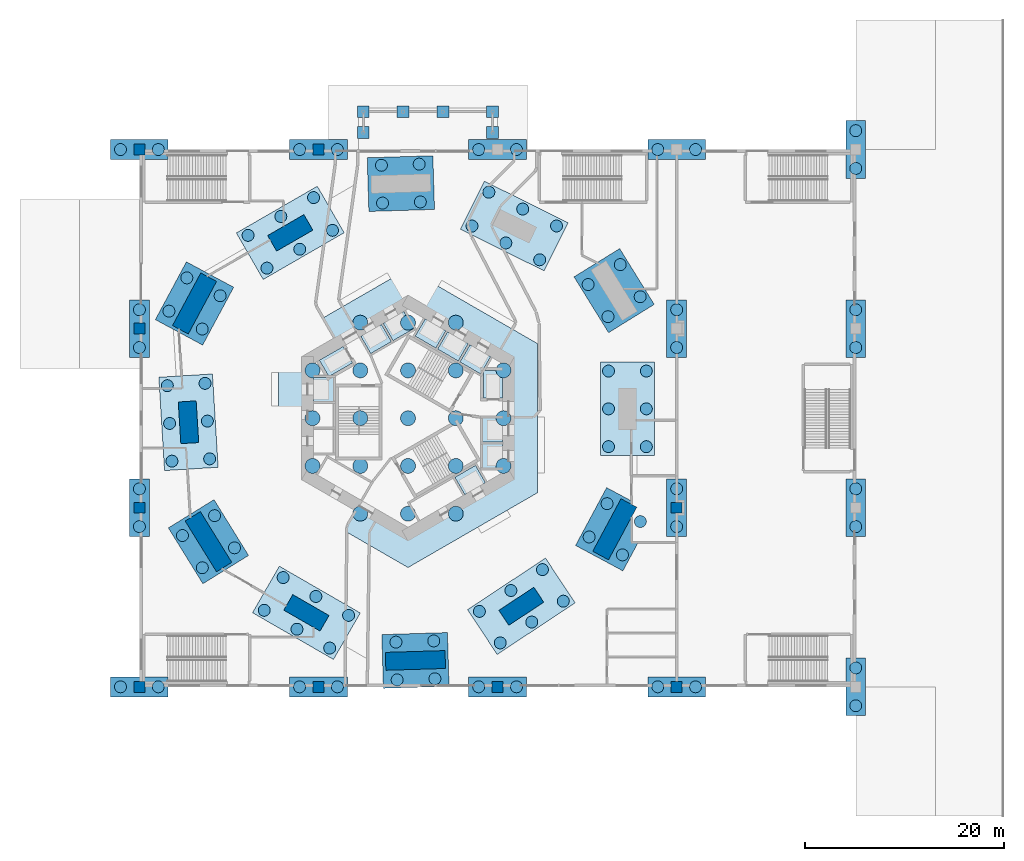
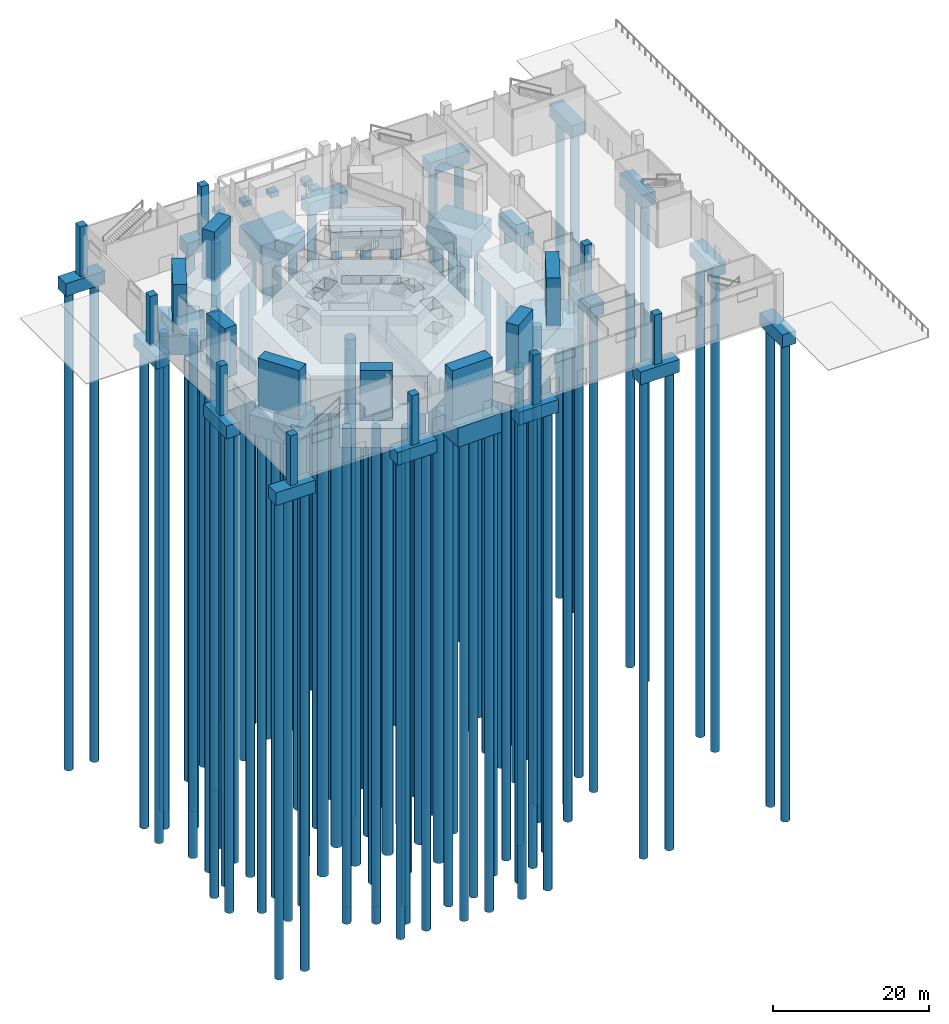
# One storey, part 1 of 16: 113 piles, 35 footings, 17 columns.
"""IFC4 building model written with IfcOpenShell, lengths in metres."""

from ifc_helpers import new_model, si_unit, direction, frame, origin, origin_2d, place, context, subcontext, project, spatial, polyline, rectangle, circle, outline, extrude, boolean, material, layer, layer_set, material_profile, profile_set, type_object, element, save


model = new_model("IFC4")

# Units and contexts
model_context = context("Model", 3, precision=1e-05, world=origin(), true_north=direction((0.0, 1.0)))
body_context = subcontext(model_context, "Body", "Model", "MODEL_VIEW")
ifc_project = project(units=[si_unit("LENGTHUNIT", "METRE"), si_unit("AREAUNIT", "SQUARE_METRE"), si_unit("VOLUMEUNIT", "CUBIC_METRE"), si_unit("PLANEANGLEUNIT", "RADIAN"), si_unit("MASSUNIT", "GRAM", prefix="KILO")], contexts=[model_context])

# Site, building, storey
site_placement = place(None, origin())
site = spatial("IfcSite", under=ifc_project, at=site_placement, CompositionType="ELEMENT")
building_placement = place(site_placement, origin())
building = spatial("IfcBuilding", under=site, at=building_placement, Name="Vanh Sen Convention Tower", CompositionType="ELEMENT")
storey_placement = place(building_placement, origin())
storey = spatial("IfcBuildingStorey", under=building, at=storey_placement, Name="L00", CompositionType="ELEMENT", Elevation=0.0)

# Piles
ifc_material_1 = material(Name="Concrete C40/50", Category="concrete")
ifc_material_profile_1 = material_profile(ifc_material_1, circle(Radius=0.60009765625, at=origin_2d()), Name="Bored pile D1200")
ifc_profile_set_1 = profile_set([ifc_material_profile_1], Name="Concrete C40/50")
pile_type_1 = type_object("IfcPileType", Name="Bored pile D1200", PredefinedType="BORED", material=ifc_profile_set_1)
for number, where, z_axis, x_axis, name in (
    (1, (20.14990234375, -2.86279296875, -3.14990234375), (0.0, 0.0, -1.0), (1.0, 0.0, 0.0), "Mega pile 01-1"),
    (2, (20.14990234375, 0.937255859375, -3.14990234375), (0.0, 0.0, -1.0), (1.0, 0.0, 0.0), "Mega pile 01-2"),
    (3, (20.14990234375, 4.7373046875, -3.14990234375), (0.0, 0.0, -1.0), (1.0, 0.0, 0.0), "Mega pile 01-3"),
    (4, (23.949951171875, -2.86279296875, -3.14990234375), (0.0, 0.0, -1.0), (1.0, 0.0, 0.0), "Mega pile 01-4"),
    (5, (23.949951171875, 0.937255859375, -3.14990234375), (0.0, 0.0, -1.0), (1.0, 0.0, 0.0), "Mega pile 01-5"),
    (6, (23.949951171875, 4.7373046875, -3.14990234375), (0.0, 0.0, -1.0), (1.0, 0.0, 0.0), "Mega pile 01-6"),
    (7, (20.098388671875, 10.202880859375, -3.14990234375), (0.0, 0.0, -1.0), (1.0, 0.0, 0.0), "Mega pile 02-1"),
    (8, (18.098876953125, 13.434326171875, -3.14990234375), (0.0, 0.0, -1.0), (1.0, 0.0, 0.0), "Mega pile 02-2"),
    (9, (23.329833984375, 12.202392578125, -3.14990234375), (0.0, 0.0, -1.0), (1.0, 0.0, 0.0), "Mega pile 02-3"),
    (10, (21.330078125, 15.433837890625, -3.14990234375), (0.0, 0.0, -1.0), (1.0, 0.0, 0.0), "Mega pile 02-4"),
    (11, (13.23046875, 15.919189453125, -3.14990234375), (0.0, 0.0, -1.0), (1.0, 0.0, 0.0), "Mega pile 03-1"),
    (12, (9.82958984375, 17.61474609375, -3.14990234375), (0.0, 0.0, -1.0), (1.0, 0.0, 0.0), "Mega pile 03-2"),
    (13, (6.428955078125, 19.310302734375, -3.14990234375), (0.0, 0.0, -1.0), (1.0, 0.0, 0.0), "Mega pile 03-3"),
    (14, (14.92578125, 19.31982421875, -3.14990234375), (0.0, 0.0, -1.0), (1.0, 0.0, 0.0), "Mega pile 03-4"),
    (15, (11.525146484375, 21.015380859375, -3.14990234375), (0.0, 0.0, -1.0), (1.0, 0.0, 0.0), "Mega pile 03-5"),
    (16, (8.12451171875, 22.7109375, -3.14990234375), (0.0, 0.0, -1.0), (1.0, 0.0, 0.0), "Mega pile 03-6"),
    (17, (1.23681640625, 21.736083984375, -3.14990234375), (0.0, 0.0, -1.0), (1.0, 0.0, 0.0), "Mega pile 04-1"),
    (18, (-2.561279296875, 21.6201171875, -3.14990234375), (0.0, 0.0, -1.0), (1.0, 0.0, 0.0), "Mega pile 04-2"),
    (19, (1.120849609375, 25.5341796875, -3.14990234375), (0.0, 0.0, -1.0), (1.0, 0.0, 0.0), "Mega pile 04-3"),
    (20, (-2.677490234375, 25.418212890625, -3.14990234375), (0.0, 0.0, -1.0), (1.0, 0.0, 0.0), "Mega pile 04-4"),
    (21, (-7.595703125, 18.881591796875, -3.14990234375), (0.0, 0.0, -1.0), (1.0, 0.0, 0.0), "Mega pile 05-1"),
    (22, (-10.88671875, 16.981689453125, -3.14990234375), (0.0, 0.0, -1.0), (1.0, 0.0, 0.0), "Mega pile 05-2"),
    (23, (-14.177490234375, 15.081787109375, -3.14990234375), (0.0, 0.0, -1.0), (1.0, 0.0, 0.0), "Mega pile 05-3"),
    (24, (-9.495849609375, 22.172607421875, -3.14990234375), (0.0, 0.0, -1.0), (1.0, 0.0, 0.0), "Mega pile 05-4"),
    (25, (-12.78662109375, 20.272705078125, -3.14990234375), (0.0, 0.0, -1.0), (1.0, 0.0, 0.0), "Mega pile 05-5"),
    (26, (-16.07763671875, 18.372802734375, -3.14990234375), (0.0, 0.0, -1.0), (1.0, 0.0, 0.0), "Mega pile 05-6"),
    (27, (-18.88525390625, 12.30419921875, -3.14990234375), (0.0, 0.0, -1.0), (1.0, 0.0, 0.0), "Mega pile 06-1"),
    (28, (-20.683837890625, 8.956787109375, -3.14990234375), (0.0, 0.0, -1.0), (1.0, 0.0, 0.0), "Mega pile 06-2"),
    (29, (-22.232666015625, 14.102783203125, -3.14990234375), (0.0, 0.0, -1.0), (1.0, 0.0, 0.0), "Mega pile 06-3"),
    (30, (-24.03125, 10.755615234375, -3.14990234375), (0.0, 0.0, -1.0), (1.0, 0.0, 0.0), "Mega pile 06-4"),
    (31, (-20.401611328125, 3.498291015625, -3.14990234375), (0.0, 0.0, -1.0), (1.0, 0.0, 0.0), "Mega pile 07-1"),
    (32, (-20.16943359375, -0.294677734375, -3.14990234375), (0.0, 0.0, -1.0), (1.0, 0.0, 0.0), "Mega pile 07-2"),
    (33, (-19.9375, -4.08740234375, -3.14990234375), (0.0, 0.0, -1.0), (1.0, 0.0, 0.0), "Mega pile 07-3"),
    (34, (-24.1943359375, 3.266357421875, -3.14990234375), (0.0, 0.0, -1.0), (1.0, 0.0, 0.0), "Mega pile 07-4"),
    (35, (-23.96240234375, -0.526611328125, -3.14990234375), (0.0, 0.0, -1.0), (1.0, 0.0, 0.0), "Mega pile 07-5"),
    (36, (-23.73046875, -4.319580078125, -3.14990234375), (0.0, 0.0, -1.0), (1.0, 0.0, 0.0), "Mega pile 07-6"),
    (37, (-19.4423828125, -9.797119140625, -3.14990234375), (0.0, 0.0, -1.0), (1.0, 0.0, 0.0), "Mega pile 08-1"),
    (38, (-17.44287109375, -13.0283203125, -3.14990234375), (0.0, 0.0, -1.0), (1.0, 0.0, 0.0), "Mega pile 08-2"),
    (39, (-22.673828125, -11.796630859375, -3.14990234375), (0.0, 0.0, -1.0), (1.0, 0.0, 0.0), "Mega pile 08-3"),
    (40, (-20.67431640625, -15.028076171875, -3.14990234375), (0.0, 0.0, -1.0), (1.0, 0.0, 0.0), "Mega pile 08-4"),
    (41, (-12.55419921875, -16.01904296875, -3.14990234375), (0.0, 0.0, -1.0), (1.0, 0.0, 0.0), "Mega pile 09-1"),
    (42, (-9.263427734375, -17.9189453125, -3.14990234375), (0.0, 0.0, -1.0), (1.0, 0.0, 0.0), "Mega pile 09-2"),
    (43, (-5.972412109375, -19.81884765625, -3.14990234375), (0.0, 0.0, -1.0), (1.0, 0.0, 0.0), "Mega pile 09-3"),
    (44, (-14.454345703125, -19.309814453125, -3.14990234375), (0.0, 0.0, -1.0), (1.0, 0.0, 0.0), "Mega pile 09-4"),
    (45, (-11.163330078125, -21.2099609375, -3.14990234375), (0.0, 0.0, -1.0), (1.0, 0.0, 0.0), "Mega pile 09-5"),
    (46, (-7.87255859375, -23.10986328125, -3.14990234375), (0.0, 0.0, -1.0), (1.0, 0.0, 0.0), "Mega pile 09-6"),
    (47, (-1.213134765625, -22.507080078125, -3.14990234375), (0.0, 0.0, -1.0), (1.0, 0.0, 0.0), "Mega pile 10-1"),
    (48, (2.5849609375, -22.39111328125, -3.14990234375), (0.0, 0.0, -1.0), (1.0, 0.0, 0.0), "Mega pile 10-2"),
    (49, (-1.09716796875, -26.305419921875, -3.14990234375), (0.0, 0.0, -1.0), (1.0, 0.0, 0.0), "Mega pile 10-3"),
    (50, (2.700927734375, -26.189453125, -3.14990234375), (0.0, 0.0, -1.0), (1.0, 0.0, 0.0), "Mega pile 10-4"),
    (51, (7.171142578125, -19.41748046875, -3.14990234375), (0.0, 0.0, -1.0), (1.0, 0.0, 0.0), "Mega pile 11-1"),
    (52, (10.33984375, -17.320068359375, -3.14990234375), (0.0, 0.0, -1.0), (1.0, 0.0, 0.0), "Mega pile 11-2"),
    (53, (13.508544921875, -15.22265625, -3.14990234375), (0.0, 0.0, -1.0), (1.0, 0.0, 0.0), "Mega pile 11-3"),
    (54, (9.2685546875, -22.586181640625, -3.14990234375), (0.0, 0.0, -1.0), (1.0, 0.0, 0.0), "Mega pile 11-4"),
    (55, (12.437255859375, -20.489013671875, -3.14990234375), (0.0, 0.0, -1.0), (1.0, 0.0, 0.0), "Mega pile 11-5"),
    (56, (15.60595703125, -18.3916015625, -3.14990234375), (0.0, 0.0, -1.0), (1.0, 0.0, 0.0), "Mega pile 11-6"),
    (57, (18.20556640625, -11.939208984375, -3.14990234375), (0.0, 0.0, -1.0), (1.0, 0.0, 0.0), "Mega pile 12-1"),
    (58, (20.004150390625, -8.591796875, -3.14990234375), (0.0, 0.0, -1.0), (1.0, 0.0, 0.0), "Mega pile 12-2"),
    (59, (21.552978515625, -13.73779296875, -3.14990234375), (0.0, 0.0, -1.0), (1.0, 0.0, 0.0), "Mega pile 12-3"),
    (60, (23.3515625, -10.390380859375, -3.14990234375), (0.0, 0.0, -1.0), (1.0, 0.0, 0.0), "Mega pile 12-4"),
    (61, (-28.89990234375, -27.0, -2.14990234375), (0.0, 0.0, -1.0), (1.0, 0.0, 0.0), "Wing pile 01A"),
    (62, (-25.10009765625, -27.0, -2.14990234375), (0.0, 0.0, -1.0), (1.0, 0.0, 0.0), "Wing pile 01B"),
    (63, (-27.0, -10.89990234375, -2.14990234375), (0.0, 0.0, -1.0), (1.0, 0.0, 0.0), "Wing pile 02A"),
    (64, (-27.0, -7.10009765625, -2.14990234375), (0.0, 0.0, -1.0), (1.0, 0.0, 0.0), "Wing pile 02B"),
    (65, (-27.0, 7.10009765625, -2.14990234375), (0.0, 0.0, -1.0), (1.0, 0.0, 0.0), "Wing pile 03A"),
    (66, (-27.0, 10.89990234375, -2.14990234375), (0.0, 0.0, -1.0), (1.0, 0.0, 0.0), "Wing pile 03B"),
    (67, (-28.89990234375, 27.0, -2.14990234375), (0.0, 0.0, -1.0), (1.0, 0.0, 0.0), "Wing pile 04A"),
    (68, (-25.10009765625, 27.0, -2.14990234375), (0.0, 0.0, -1.0), (1.0, 0.0, 0.0), "Wing pile 04B"),
    (69, (-10.89990234375, -27.0, -2.14990234375), (0.0, 0.0, -1.0), (1.0, 0.0, 0.0), "Wing pile 05A"),
    (70, (-7.10009765625, -27.0, -2.14990234375), (0.0, 0.0, -1.0), (1.0, 0.0, 0.0), "Wing pile 05B"),
    (71, (-10.89990234375, 27.0, -2.14990234375), (0.0, 0.0, -1.0), (1.0, 0.0, 0.0), "Wing pile 06A"),
    (72, (-7.10009765625, 27.0, -2.14990234375), (0.0, 0.0, -1.0), (1.0, 0.0, 0.0), "Wing pile 06B"),
    (73, (7.10009765625, -27.0, -2.14990234375), (0.0, 0.0, -1.0), (1.0, 0.0, 0.0), "Wing pile 07A"),
    (74, (10.89990234375, -27.0, -2.14990234375), (0.0, 0.0, -1.0), (1.0, 0.0, 0.0), "Wing pile 07B"),
    (75, (7.10009765625, 27.0, -2.14990234375), (0.0, 0.0, -1.0), (1.0, 0.0, 0.0), "Wing pile 08A"),
    (76, (10.89990234375, 27.0, -2.14990234375), (0.0, 0.0, -1.0), (1.0, 0.0, 0.0), "Wing pile 08B"),
    (77, (25.10009765625, -27.0, -2.14990234375), (0.0, 0.0, -1.0), (1.0, 0.0, 0.0), "Wing pile 09A"),
    (78, (28.89990234375, -27.0, -2.14990234375), (0.0, 0.0, -1.0), (1.0, 0.0, 0.0), "Wing pile 09B"),
    (79, (27.0, -10.89990234375, -2.14990234375), (0.0, 0.0, -1.0), (1.0, 0.0, 0.0), "Wing pile 10A"),
    (80, (27.0, -7.10009765625, -2.14990234375), (0.0, 0.0, -1.0), (1.0, 0.0, 0.0), "Wing pile 10B"),
    (81, (27.0, 7.10009765625, -2.14990234375), (0.0, 0.0, -1.0), (1.0, 0.0, 0.0), "Wing pile 11A"),
    (82, (27.0, 10.89990234375, -2.14990234375), (0.0, 0.0, -1.0), (1.0, 0.0, 0.0), "Wing pile 11B"),
    (83, (25.10009765625, 27.0, -2.14990234375), (0.0, 0.0, -1.0), (1.0, 0.0, 0.0), "Wing pile 12A"),
    (84, (28.89990234375, 27.0, -2.14990234375), (0.0, 0.0, -1.0), (1.0, 0.0, 0.0), "Wing pile 12B"),
    (85, (45.0, -28.89990234375, -2.14990234375), (0.0, 0.0, -1.0), (1.0, 0.0, 0.0), "Wing pile 13A"),
    (86, (45.0, -25.10009765625, -2.14990234375), (0.0, 0.0, -1.0), (1.0, 0.0, 0.0), "Wing pile 13B"),
    (87, (45.0, -10.89990234375, -2.14990234375), (0.0, 0.0, -1.0), (1.0, 0.0, 0.0), "Wing pile 14A"),
    (88, (45.0, -7.10009765625, -2.14990234375), (0.0, 0.0, -1.0), (1.0, 0.0, 0.0), "Wing pile 14B"),
    (89, (45.0, 7.10009765625, -2.14990234375), (0.0, 0.0, -1.0), (1.0, 0.0, 0.0), "Wing pile 15A"),
    (90, (45.0, 10.89990234375, -2.14990234375), (0.0, 0.0, -1.0), (1.0, 0.0, 0.0), "Wing pile 15B"),
    (91, (45.0, 25.10009765625, -2.14990234375), (0.0, 0.0, -1.0), (1.0, 0.0, 0.0), "Wing pile 16A"),
    (92, (45.0, 28.89990234375, -2.14990234375), (0.0, 0.0, -1.0), (1.0, 0.0, 0.0), "Wing pile 16B"),
):
    element("IfcPile", number, at=place(storey_placement, frame(where, z_axis=z_axis, x_axis=x_axis)), inside=storey, type_object=pile_type_1, Name=name, PredefinedType="BORED", context=body_context, shape_type="SweptSolid", body=[
        extrude(circle(Radius=0.60009765625, at=origin_2d()), origin(), (0.0, 0.0, 1.0), 75.0),
    ])
ifc_material_profile_2 = material_profile(ifc_material_1, circle(Radius=0.75, at=origin_2d()), Name="Bored pile D1500")
ifc_profile_set_2 = profile_set([ifc_material_profile_2], Name="Concrete C40/50")
pile_type_2 = type_object("IfcPileType", Name="Bored pile D1500", PredefinedType="BORED", material=ifc_profile_set_2)
for number, where, z_axis, x_axis, name in (
    (93, (-4.800048828125, 9.60009765625, -6.14990234375), (0.0, 0.0, -1.0), (1.0, 0.0, 0.0), "Core pile 001"),
    (94, (0.0, 9.60009765625, -6.14990234375), (0.0, 0.0, -1.0), (1.0, 0.0, 0.0), "Core pile 002"),
    (95, (4.800048828125, 9.60009765625, -6.14990234375), (0.0, 0.0, -1.0), (1.0, 0.0, 0.0), "Core pile 003"),
    (96, (-9.60009765625, 4.800048828125, -6.14990234375), (0.0, 0.0, -1.0), (1.0, 0.0, 0.0), "Core pile 004"),
    (97, (-4.800048828125, 4.800048828125, -6.14990234375), (0.0, 0.0, -1.0), (1.0, 0.0, 0.0), "Core pile 005"),
    (98, (0.0, 4.800048828125, -6.14990234375), (0.0, 0.0, -1.0), (1.0, 0.0, 0.0), "Core pile 006"),
    (99, (4.800048828125, 4.800048828125, -6.14990234375), (0.0, 0.0, -1.0), (1.0, 0.0, 0.0), "Core pile 007"),
    (100, (9.60009765625, 4.800048828125, -6.14990234375), (0.0, 0.0, -1.0), (1.0, 0.0, 0.0), "Core pile 008"),
    (101, (-9.60009765625, 0.0, -6.14990234375), (0.0, 0.0, -1.0), (1.0, 0.0, 0.0), "Core pile 009"),
    (102, (-4.800048828125, 0.0, -6.14990234375), (0.0, 0.0, -1.0), (1.0, 0.0, 0.0), "Core pile 010"),
    (103, (0.0, 0.0, -6.14990234375), (0.0, 0.0, -1.0), (1.0, 0.0, 0.0), "Core pile 011"),
    (104, (4.800048828125, 0.0, -6.14990234375), (0.0, 0.0, -1.0), (1.0, 0.0, 0.0), "Core pile 012"),
    (105, (9.60009765625, 0.0, -6.14990234375), (0.0, 0.0, -1.0), (1.0, 0.0, 0.0), "Core pile 013"),
    (106, (-9.60009765625, -4.800048828125, -6.14990234375), (0.0, 0.0, -1.0), (1.0, 0.0, 0.0), "Core pile 014"),
    (107, (-4.800048828125, -4.800048828125, -6.14990234375), (0.0, 0.0, -1.0), (1.0, 0.0, 0.0), "Core pile 015"),
    (108, (0.0, -4.800048828125, -6.14990234375), (0.0, 0.0, -1.0), (1.0, 0.0, 0.0), "Core pile 016"),
    (109, (4.800048828125, -4.800048828125, -6.14990234375), (0.0, 0.0, -1.0), (1.0, 0.0, 0.0), "Core pile 017"),
    (110, (9.60009765625, -4.800048828125, -6.14990234375), (0.0, 0.0, -1.0), (1.0, 0.0, 0.0), "Core pile 018"),
    (111, (-4.800048828125, -9.60009765625, -6.14990234375), (0.0, 0.0, -1.0), (1.0, 0.0, 0.0), "Core pile 019"),
    (112, (0.0, -9.60009765625, -6.14990234375), (0.0, 0.0, -1.0), (1.0, 0.0, 0.0), "Core pile 020"),
    (113, (4.800048828125, -9.60009765625, -6.14990234375), (0.0, 0.0, -1.0), (1.0, 0.0, 0.0), "Core pile 021"),
):
    element("IfcPile", number, at=place(storey_placement, frame(where, z_axis=z_axis, x_axis=x_axis)), inside=storey, type_object=pile_type_2, Name=name, PredefinedType="BORED", context=body_context, shape_type="SweptSolid", body=[
        extrude(circle(Radius=0.75, at=origin_2d()), origin(), (0.0, 0.0, 1.0), 75.0),
    ])

# Footings
ifc_layer_1 = layer(ifc_material_1, 0.800048828125)
ifc_layer_set_1 = layer_set([ifc_layer_1], Name="Concrete C40/50")
footing_type_1 = type_object("IfcFootingType", Name="Canopy pad footing 1200 x 1200 x 800", PredefinedType="PAD_FOOTING", material=ifc_layer_set_1)
for number, where, z_axis, x_axis, name in (
    (114, (-4.5, 30.800048828125, -0.9501953125), (0.0, 0.0, 1.0), (1.0, 0.0, 0.0), "Canopy footing 1"),
    (115, (-0.5, 30.800048828125, -0.9501953125), (0.0, 0.0, 1.0), (1.0, 0.0, 0.0), "Canopy footing 2"),
    (116, (3.5, 30.800048828125, -0.9501953125), (0.0, 0.0, 1.0), (1.0, 0.0, 0.0), "Canopy footing 3"),
    (117, (8.5, 30.800048828125, -0.9501953125), (0.0, 0.0, 1.0), (1.0, 0.0, 0.0), "Canopy footing 4"),
    (118, (-4.5, 28.699951171875, -0.9501953125), (0.0, 0.0, 1.0), (1.0, 0.0, 0.0), "Canopy footing 5"),
    (119, (8.5, 28.699951171875, -0.9501953125), (0.0, 0.0, 1.0), (1.0, 0.0, 0.0), "Canopy footing 6"),
):
    element("IfcFooting", number, at=place(storey_placement, frame(where, z_axis=z_axis, x_axis=x_axis)), inside=storey, type_object=footing_type_1, Name=name, PredefinedType="PAD_FOOTING", context=body_context, shape_type="SweptSolid", body=[
        extrude(rectangle(XDim=1.199951171875, YDim=1.199951171875, at=origin_2d()), origin(), (0.0, 0.0, 1.0), 0.800048828125),
    ])
ifc_layer_2 = layer(ifc_material_1, 6.0)
ifc_layer_set_2 = layer_set([ifc_layer_2], Name="Concrete C40/50")
footing_type_2 = type_object("IfcFootingType", Name="Core pile cap 6000", PredefinedType="PILE_CAP", material=ifc_layer_set_2)
footing_1_placement = place(storey_placement, frame((0.0, 0.0, -6.300048828125)))
solid = boolean("DIFFERENCE", boolean("DIFFERENCE", boolean("DIFFERENCE", boolean("DIFFERENCE", boolean("DIFFERENCE", boolean("DIFFERENCE", boolean("DIFFERENCE", boolean("DIFFERENCE", extrude(outline(polyline([(13.0, 7.505615234375), (0.0, 15.010986328125), (-13.0, 7.505615234375), (-13.0, -7.505615234375), (0.0, -15.010986328125), (13.0, -7.505615234375), (13.0, 7.505615234375)])), origin(), (0.0, 0.0, 1.0), 6.0), extrude(outline(polyline([(9.5, 2.050048828125), (9.5, 4.800048828125), (7.60009765625, 4.800048828125), (7.60009765625, 2.050048828125), (9.5, 2.050048828125)])), frame((0.0, 0.0, 3.5)), (0.0, 0.0, 1.0), 2.60009765625)), extrude(outline(polyline([(-6.525390625, 7.2021484375), (-8.906982421875, 5.8271484375), (-7.956787109375, 4.181884765625), (-5.575439453125, 5.556884765625), (-6.525390625, 7.2021484375)])), frame((0.0, 0.0, 3.5)), (0.0, 0.0, 1.0), 2.60009765625)), extrude(outline(polyline([(-1.67138671875, 7.6953125), (-2.67138671875, 9.42724609375), (-4.75, 8.227294921875), (-3.75, 6.4951171875), (-1.67138671875, 7.6953125)])), frame((0.0, 0.0, 3.699951171875)), (0.0, 0.0, 1.0), 2.400146484375)), extrude(outline(polyline([(-7.5, 4.10009765625), (-9.5, 4.10009765625), (-9.5, 1.699951171875), (-7.5, 1.699951171875), (-7.5, 4.10009765625)])), frame((0.0, 0.0, 3.699951171875)), (0.0, 0.0, 1.0), 2.400146484375)), extrude(outline(polyline([(7.5, -5.0), (9.5, -5.0), (9.5, -2.60009765625), (7.5, -2.60009765625), (7.5, -5.0)])), frame((0.0, 0.0, 3.900146484375)), (0.0, 0.0, 1.0), 2.199951171875)), extrude(outline(polyline([(7.5, -2.39990234375), (9.5, -2.39990234375), (9.5, 0.0), (7.5, 0.0), (7.5, -2.39990234375)])), frame((0.0, 0.0, 3.900146484375)), (0.0, 0.0, 1.0), 2.199951171875)), extrude(outline(polyline([(7.30078125, 4.4453125), (8.30078125, 6.17724609375), (6.22216796875, 7.377197265625), (5.22216796875, 5.645263671875), (7.30078125, 4.4453125)])), frame((0.0, 0.0, 3.900146484375)), (0.0, 0.0, 1.0), 2.199951171875)), extrude(outline(polyline([(5.049072265625, 5.7451171875), (6.049072265625, 7.477294921875), (3.970703125, 8.67724609375), (2.970703125, 6.9453125), (5.049072265625, 5.7451171875)])), frame((0.0, 0.0, 3.900146484375)), (0.0, 0.0, 1.0), 2.199951171875))
element("IfcFooting", 120, at=footing_1_placement, inside=storey, type_object=footing_type_2, Name="Core pile cap", PredefinedType="PILE_CAP", context=body_context, shape_type="CSG", body=[
    boolean("DIFFERENCE", boolean("DIFFERENCE", boolean("DIFFERENCE", solid, extrude(outline(polyline([(2.79736328125, 7.045166015625), (3.79736328125, 8.777099609375), (1.718994140625, 9.977294921875), (0.718994140625, 8.2451171875), (2.79736328125, 7.045166015625)])), frame((0.0, 0.0, 3.900146484375)), (0.0, 0.0, 1.0), 2.199951171875)), extrude(outline(polyline([(0.580078125, 8.9951171875), (-0.419921875, 10.727294921875), (-2.498291015625, 9.527099609375), (-1.498291015625, 7.795166015625), (0.580078125, 8.9951171875)])), frame((0.0, 0.0, 3.900146484375)), (0.0, 0.0, 1.0), 2.199951171875)), extrude(outline(polyline([(4.70263671875, -5.9453125), (5.70263671875, -7.67724609375), (7.781005859375, -6.477294921875), (6.781005859375, -4.7451171875), (4.70263671875, -5.9453125)])), frame((0.0, 0.0, 3.900146484375)), (0.0, 0.0, 1.0), 2.199951171875)),
])
ifc_layer_3 = layer(ifc_material_1, 3.0)
ifc_layer_set_3 = layer_set([ifc_layer_3], Name="Concrete C40/50")
footing_type_3 = type_object("IfcFootingType", Name="Mega column pile cap 3000 four piles", PredefinedType="PILE_CAP", material=ifc_layer_set_3)
for number, where, z_axis, x_axis, name in (
    (121, (20.71435546875, 12.818359375, -3.300048828125), (0.0, 0.0, 1.0), (-0.526210955359, 0.850354061823, 0.0), "Mega column pile cap 02"),
    (122, (-0.72021484375, 23.5771484375, -3.300048828125), (0.0, 0.0, 1.0), (-0.999533644135, -0.030536768695, 0.0), "Mega column pile cap 04"),
    (123, (-21.458251953125, 11.52978515625, -3.300048828125), (0.0, 0.0, 1.0), (-0.473316592293, -0.880892390397, 0.0), "Mega column pile cap 06"),
    (124, (-20.058349609375, -12.41259765625, -3.300048828125), (0.0, 0.0, 1.0), (0.526202050444, -0.850359572245, 0.0), "Mega column pile cap 08"),
    (125, (0.743896484375, -24.348388671875, -3.300048828125), (0.0, 0.0, 1.0), (0.999533484231, 0.03054200224, 0.0), "Mega column pile cap 10"),
    (126, (20.778564453125, -11.164794921875, -3.300048828125), (0.0, 0.0, 1.0), (0.473322742071, 0.880889086003, 0.0), "Mega column pile cap 12"),
):
    element("IfcFooting", number, at=place(storey_placement, frame(where, z_axis=z_axis, x_axis=x_axis)), inside=storey, type_object=footing_type_3, Name=name, PredefinedType="PILE_CAP", context=body_context, shape_type="SweptSolid", body=[
        extrude(rectangle(XDim=6.60009765625, YDim=5.39990234375, at=origin_2d()), origin(), (0.0, 0.0, 1.0), 3.0),
    ])
ifc_layer_4 = layer(ifc_material_1, 3.0)
ifc_layer_set_4 = layer_set([ifc_layer_4], Name="Concrete C40/50")
footing_type_4 = type_object("IfcFootingType", Name="Mega column pile cap 3000 six piles", PredefinedType="PILE_CAP", material=ifc_layer_set_4)
for number, where, z_axis, x_axis, name in (
    (127, (22.050048828125, 0.937255859375, -3.300048828125), (0.0, 0.0, 1.0), (0.0, 1.0, 0.0), "Mega column pile cap 01"),
    (128, (10.677490234375, 19.315185546875, -3.300048828125), (0.0, 0.0, 1.0), (-0.894935140363, 0.446196251154, 0.0), "Mega column pile cap 03"),
    (129, (-11.836669921875, 18.627197265625, -3.300048828125), (0.0, 0.0, 1.0), (-0.866028021766, -0.499995465495, 0.0), "Mega column pile cap 05"),
    (130, (-22.06591796875, -0.41064453125, -3.300048828125), (0.0, 0.0, 1.0), (0.061046797461, -0.99813490497, 0.0), "Mega column pile cap 07"),
    (131, (-10.21337890625, -19.564453125, -3.300048828125), (0.0, 0.0, 1.0), (0.866028021766, -0.499995465495, 0.0), "Mega column pile cap 09"),
    (132, (11.388671875, -18.904541015625, -3.300048828125), (0.0, 0.0, 1.0), (0.833880042151, 0.551945717714, 0.0), "Mega column pile cap 11"),
):
    element("IfcFooting", number, at=place(storey_placement, frame(where, z_axis=z_axis, x_axis=x_axis)), inside=storey, type_object=footing_type_4, Name=name, PredefinedType="PILE_CAP", context=body_context, shape_type="SweptSolid", body=[
        extrude(rectangle(XDim=9.39990234375, YDim=5.39990234375, at=origin_2d()), origin(), (0.0, 0.0, 1.0), 3.0),
    ])
ifc_layer_5 = layer(ifc_material_1, 2.0)
ifc_layer_set_5 = layer_set([ifc_layer_5], Name="Concrete C40/50")
footing_type_5 = type_object("IfcFootingType", Name="Pile cap 2000 two piles", PredefinedType="PILE_CAP", material=ifc_layer_set_5)
footing_2_placement = place(storey_placement, frame((-27.0, -27.0, -2.300048828125), z_axis=(0.0, 0.0, 1.0), x_axis=(1.0, 0.0, 0.0)))
element("IfcFooting", 133, at=footing_2_placement, inside=storey, type_object=footing_type_5, Name="Wing pile cap 01", PredefinedType="PILE_CAP", context=body_context, shape_type="SweptSolid", body=[
    extrude(rectangle(XDim=5.800048828125, YDim=2.0, at=origin_2d()), origin(), (0.0, 0.0, 1.0), 2.0),
])
for number, where, z_axis, x_axis, name in (
    (134, (-27.0, -9.0, -2.300048828125), (0.0, 0.0, 1.0), (1.0, 0.0, 0.0), "Wing pile cap 02"),
    (135, (-27.0, 9.0, -2.300048828125), (0.0, 0.0, 1.0), (1.0, 0.0, 0.0), "Wing pile cap 03"),
):
    element("IfcFooting", number, at=place(storey_placement, frame(where, z_axis=z_axis, x_axis=x_axis)), inside=storey, type_object=footing_type_5, Name=name, PredefinedType="PILE_CAP", context=body_context, shape_type="SweptSolid", body=[
        extrude(rectangle(XDim=2.0, YDim=5.800048828125, at=origin_2d()), origin(), (0.0, 0.0, 1.0), 2.0),
    ])
for number, where, z_axis, x_axis, name in (
    (136, (-27.0, 27.0, -2.300048828125), (0.0, 0.0, 1.0), (1.0, 0.0, 0.0), "Wing pile cap 04"),
    (137, (-9.0, -27.0, -2.300048828125), (0.0, 0.0, 1.0), (1.0, 0.0, 0.0), "Wing pile cap 05"),
    (138, (-9.0, 27.0, -2.300048828125), (0.0, 0.0, 1.0), (1.0, 0.0, 0.0), "Wing pile cap 06"),
    (139, (9.0, -27.0, -2.300048828125), (0.0, 0.0, 1.0), (1.0, 0.0, 0.0), "Wing pile cap 07"),
    (140, (9.0, 27.0, -2.300048828125), (0.0, 0.0, 1.0), (1.0, 0.0, 0.0), "Wing pile cap 08"),
    (141, (27.0, -27.0, -2.300048828125), (0.0, 0.0, 1.0), (1.0, 0.0, 0.0), "Wing pile cap 09"),
):
    element("IfcFooting", number, at=place(storey_placement, frame(where, z_axis=z_axis, x_axis=x_axis)), inside=storey, type_object=footing_type_5, Name=name, PredefinedType="PILE_CAP", context=body_context, shape_type="SweptSolid", body=[
        extrude(rectangle(XDim=5.800048828125, YDim=2.0, at=origin_2d()), origin(), (0.0, 0.0, 1.0), 2.0),
    ])
for number, where, z_axis, x_axis, name in (
    (142, (27.0, -9.0, -2.300048828125), (0.0, 0.0, 1.0), (1.0, 0.0, 0.0), "Wing pile cap 10"),
    (143, (27.0, 9.0, -2.300048828125), (0.0, 0.0, 1.0), (1.0, 0.0, 0.0), "Wing pile cap 11"),
):
    element("IfcFooting", number, at=place(storey_placement, frame(where, z_axis=z_axis, x_axis=x_axis)), inside=storey, type_object=footing_type_5, Name=name, PredefinedType="PILE_CAP", context=body_context, shape_type="SweptSolid", body=[
        extrude(rectangle(XDim=2.0, YDim=5.800048828125, at=origin_2d()), origin(), (0.0, 0.0, 1.0), 2.0),
    ])
footing_3_placement = place(storey_placement, frame((27.0, 27.0, -2.300048828125), z_axis=(0.0, 0.0, 1.0), x_axis=(1.0, 0.0, 0.0)))
element("IfcFooting", 144, at=footing_3_placement, inside=storey, type_object=footing_type_5, Name="Wing pile cap 12", PredefinedType="PILE_CAP", context=body_context, shape_type="SweptSolid", body=[
    extrude(rectangle(XDim=5.800048828125, YDim=2.0, at=origin_2d()), origin(), (0.0, 0.0, 1.0), 2.0),
])
for number, where, z_axis, x_axis, name in (
    (145, (45.0, -27.0, -2.300048828125), (0.0, 0.0, 1.0), (1.0, 0.0, 0.0), "Wing pile cap 13"),
    (146, (45.0, -9.0, -2.300048828125), (0.0, 0.0, 1.0), (1.0, 0.0, 0.0), "Wing pile cap 14"),
    (147, (45.0, 9.0, -2.300048828125), (0.0, 0.0, 1.0), (1.0, 0.0, 0.0), "Wing pile cap 15"),
    (148, (45.0, 27.0, -2.300048828125), (0.0, 0.0, 1.0), (1.0, 0.0, 0.0), "Wing pile cap 16"),
):
    element("IfcFooting", number, at=place(storey_placement, frame(where, z_axis=z_axis, x_axis=x_axis)), inside=storey, type_object=footing_type_5, Name=name, PredefinedType="PILE_CAP", context=body_context, shape_type="SweptSolid", body=[
        extrude(rectangle(XDim=2.0, YDim=5.800048828125, at=origin_2d()), origin(), (0.0, 0.0, 1.0), 2.0),
    ])

# Columns
ifc_material_2 = material(Name="Concrete C80/95", Category="concrete")
ifc_material_profile_3 = material_profile(ifc_material_2, rectangle(XDim=4.199951171875, YDim=1.800048828125, at=origin_2d()), Name="RC 4200X1800")
ifc_profile_set_3 = profile_set([ifc_material_profile_3], Name="Concrete C80/95")
column_type_1 = type_object("IfcColumnType", Name="Mega column 4200 x 1800 C80/95", PredefinedType="COLUMN", material=ifc_profile_set_3)
for number, where, z_axis, x_axis, name in (
    (149, (-11.836669921875, 18.627197265625, -0.300048828125), (0.0, 0.0, 1.0), (-0.866028021766, -0.499995465495, 0.0), "Mega column 05 L00"),
    (150, (-22.06591796875, -0.41064453125, -0.300048828125), (0.0, 0.0, 1.0), (0.061046797461, -0.99813490497, 0.0), "Mega column 07 L00"),
    (151, (-10.21337890625, -19.564453125, -0.300048828125), (0.0, 0.0, 1.0), (0.866028021766, -0.499995465495, 0.0), "Mega column 09 L00"),
    (152, (11.388671875, -18.904541015625, -0.300048828125), (0.0, 0.0, 1.0), (0.833880042151, 0.551945717714, 0.0), "Mega column 11 L00"),
):
    element("IfcColumn", number, at=place(storey_placement, frame(where, z_axis=z_axis, x_axis=x_axis)), inside=storey, type_object=column_type_1, Name=name, PredefinedType="COLUMN", context=body_context, shape_type="SweptSolid", body=[
        extrude(rectangle(XDim=4.199951171875, YDim=1.800048828125, at=origin_2d()), origin(), (0.0, 0.0, 1.0), 7.800048828125),
    ])
ifc_material_profile_4 = material_profile(ifc_material_2, rectangle(XDim=6.0, YDim=1.800048828125, at=origin_2d()), Name="RC 6000X1800")
ifc_profile_set_4 = profile_set([ifc_material_profile_4], Name="Concrete C80/95")
column_type_2 = type_object("IfcColumnType", Name="Mega column 6000 x 1800 C80/95", PredefinedType="COLUMN", material=ifc_profile_set_4)
for number, where, z_axis, x_axis, name in (
    (153, (-21.458251953125, 11.52978515625, -0.300048828125), (0.0, 0.0, 1.0), (-0.473316592293, -0.880892390397, 0.0), "Mega column 06 L00"),
    (154, (-20.058349609375, -12.41259765625, -0.300048828125), (0.0, 0.0, 1.0), (0.526202050444, -0.850359572245, 0.0), "Mega column 08 L00"),
    (155, (0.743896484375, -24.348388671875, -0.300048828125), (0.0, 0.0, 1.0), (0.999533484231, 0.03054200224, 0.0), "Mega column 10 L00"),
    (156, (20.778564453125, -11.164794921875, -0.300048828125), (0.0, 0.0, 1.0), (0.473322742071, 0.880889086003, 0.0), "Mega column 12 L00"),
):
    element("IfcColumn", number, at=place(storey_placement, frame(where, z_axis=z_axis, x_axis=x_axis)), inside=storey, type_object=column_type_2, Name=name, PredefinedType="COLUMN", context=body_context, shape_type="SweptSolid", body=[
        extrude(rectangle(XDim=6.0, YDim=1.800048828125, at=origin_2d()), origin(), (0.0, 0.0, 1.0), 7.800048828125),
    ])
ifc_material_profile_5 = material_profile(ifc_material_2, rectangle(XDim=1.10009765625, YDim=1.10009765625, at=origin_2d()), Name="RC 1100X1100")
ifc_profile_set_5 = profile_set([ifc_material_profile_5], Name="Concrete C80/95")
column_type_3 = type_object("IfcColumnType", Name="Podium column 1100 x 1100 C80/95", PredefinedType="COLUMN", material=ifc_profile_set_5)
for number, where, z_axis, x_axis, name in (
    (157, (-27.0, -27.0, -0.300048828125), (0.0, 0.0, 1.0), (1.0, 0.0, 0.0), "Podium column 01 L00"),
    (158, (-27.0, -9.0, -0.300048828125), (0.0, 0.0, 1.0), (1.0, 0.0, 0.0), "Podium column 02 L00"),
    (159, (-27.0, 9.0, -0.300048828125), (0.0, 0.0, 1.0), (1.0, 0.0, 0.0), "Podium column 03 L00"),
    (160, (-27.0, 27.0, -0.300048828125), (0.0, 0.0, 1.0), (1.0, 0.0, 0.0), "Podium column 04 L00"),
    (161, (-9.0, -27.0, -0.300048828125), (0.0, 0.0, 1.0), (1.0, 0.0, 0.0), "Podium column 05 L00"),
    (162, (-9.0, 27.0, -0.300048828125), (0.0, 0.0, 1.0), (1.0, 0.0, 0.0), "Podium column 06 L00"),
    (163, (9.0, -27.0, -0.300048828125), (0.0, 0.0, 1.0), (1.0, 0.0, 0.0), "Podium column 07 L00"),
    (164, (27.0, -27.0, -0.300048828125), (0.0, 0.0, 1.0), (1.0, 0.0, 0.0), "Podium column 09 L00"),
    (165, (27.0, -9.0, -0.300048828125), (0.0, 0.0, 1.0), (1.0, 0.0, 0.0), "Podium column 10 L00"),
):
    element("IfcColumn", number, at=place(storey_placement, frame(where, z_axis=z_axis, x_axis=x_axis)), inside=storey, type_object=column_type_3, Name=name, PredefinedType="COLUMN", context=body_context, shape_type="SweptSolid", body=[
        extrude(rectangle(XDim=1.10009765625, YDim=1.10009765625, at=origin_2d()), origin(), (0.0, 0.0, 1.0), 7.800048828125),
    ])

save(model, "model.ifc")
